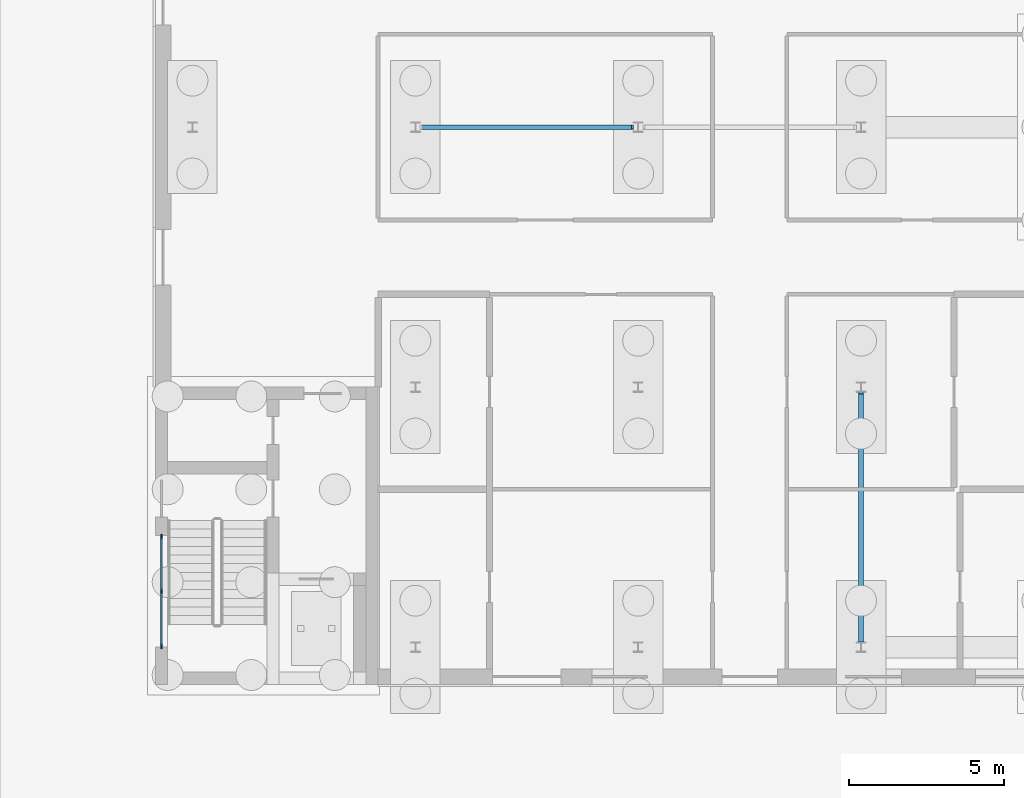
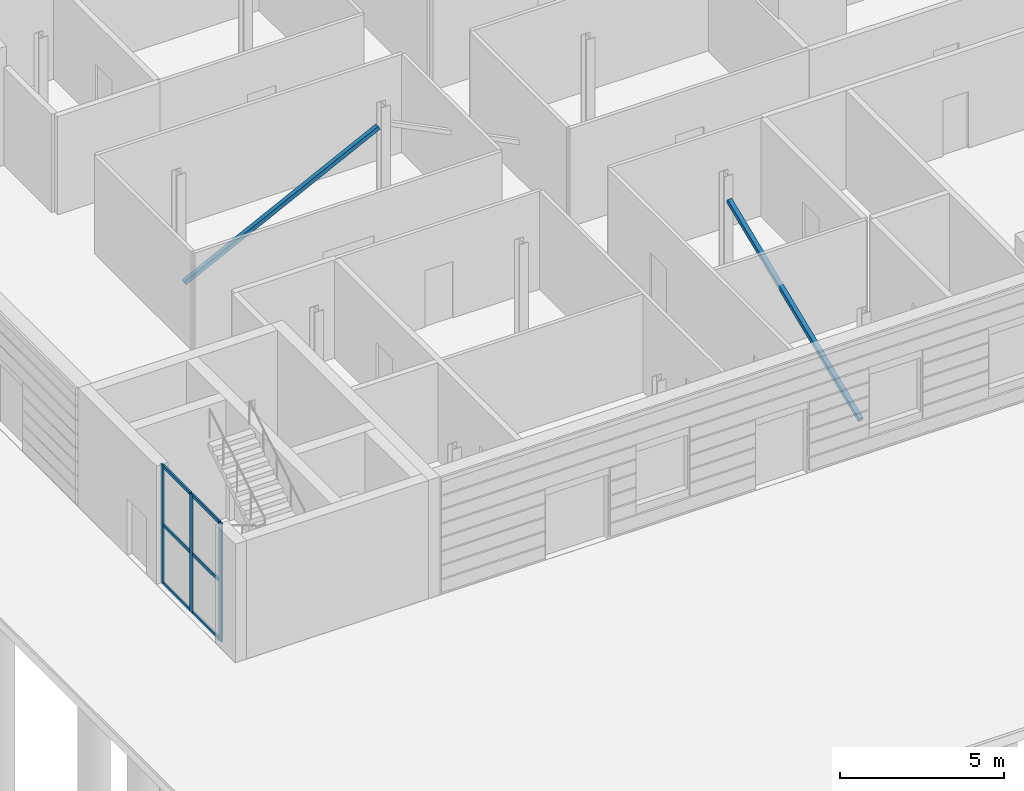
# One storey, part 24 of 139: 11 members, 1 element without a shape of its own.
"""IFC4 building model written with IfcOpenShell, lengths in metres."""

from ifc_helpers import new_model, si_unit, direction, frame, origin, origin_2d, place, context, subcontext, project, spatial, rectangle, hollow_rectangle, extrude, material, material_profile, profile_set, type_object, element, aggregate, save


model = new_model("IFC4")

# Units and contexts
model_context = context("Model", 3, precision=1e-05, world=origin(), true_north=direction((0.0, 1.0)))
body_context = subcontext(model_context, "Body", "Model", "MODEL_VIEW")
ifc_project = project(units=[si_unit("LENGTHUNIT", "METRE"), si_unit("AREAUNIT", "SQUARE_METRE"), si_unit("VOLUMEUNIT", "CUBIC_METRE"), si_unit("PLANEANGLEUNIT", "RADIAN"), si_unit("MASSUNIT", "GRAM", prefix="KILO")], contexts=[model_context])

# Site, building, storey
site_placement = place(None, origin())
site = spatial("IfcSite", under=ifc_project, at=site_placement, CompositionType="ELEMENT")
building_placement = place(site_placement, origin())
building = spatial("IfcBuilding", under=site, at=building_placement, Name="Verrick Yard Athletic Hall", CompositionType="ELEMENT")
storey_placement = place(building_placement, origin())
storey = spatial("IfcBuildingStorey", under=building, at=storey_placement, Name="L00", CompositionType="ELEMENT", Elevation=0.0)

# Curtain wall, members
ifc_material_1 = material(Name="Aluminium 6063-T5", Category="aluminium")
curtain_wall_type = type_object("IfcCurtainWallType", Name="Core glazing strip", PredefinedType="NOTDEFINED", material=ifc_material_1)
curtain_wall_placement = place(storey_placement, origin())
curtain_wall = element("IfcCurtainWall", 1, at=curtain_wall_placement, inside=storey, type_object=curtain_wall_type, Name="CORE-CB1-CW-L00", PredefinedType="NOTDEFINED")
ifc_material_profile_1 = material_profile(ifc_material_1, rectangle(XDim=0.06005859375, YDim=0.159912109375, at=origin_2d()), Name="Core glazing mullion 60x160")
ifc_profile_set_1 = profile_set([ifc_material_profile_1], Name="Aluminium 6063-T5")
member_type_1 = type_object("IfcMemberType", Name="Core glazing mullion 60x160", PredefinedType="MULLION", material=ifc_profile_set_1)
member_1_placement = place(storey_placement, frame((10.199951171875, 19.22998046875, 0.0), z_axis=(0.0, 0.0, 1.0), x_axis=(-1.0, 0.0, 0.0)))
member_1 = element("IfcMember", 2, at=member_1_placement, type_object=member_type_1, Name="CW5 mullion 1", PredefinedType="MULLION", context=body_context, shape_type="SweptSolid", body=[
    extrude(rectangle(XDim=0.06005859375, YDim=0.159912109375, at=origin_2d()), origin(), (0.0, 0.0, 1.0), 4.39990234375),
])
member_2_placement = place(storey_placement, frame((10.199951171875, 21.0, 0.0), z_axis=(0.0, 0.0, 1.0), x_axis=(-1.0, 0.0, 0.0)))
member_2 = element("IfcMember", 3, at=member_2_placement, type_object=member_type_1, Name="CW5 mullion 2", PredefinedType="MULLION", context=body_context, shape_type="SweptSolid", body=[
    extrude(rectangle(XDim=0.06005859375, YDim=0.159912109375, at=origin_2d()), origin(), (0.0, 0.0, 1.0), 4.39990234375),
])
member_3_placement = place(storey_placement, frame((10.199951171875, 22.77001953125, 0.0), z_axis=(0.0, 0.0, 1.0), x_axis=(-1.0, 0.0, 0.0)))
member_3 = element("IfcMember", 4, at=member_3_placement, type_object=member_type_1, Name="CW5 mullion 3", PredefinedType="MULLION", context=body_context, shape_type="SweptSolid", body=[
    extrude(rectangle(XDim=0.06005859375, YDim=0.159912109375, at=origin_2d()), origin(), (0.0, 0.0, 1.0), 4.39990234375),
])
ifc_material_profile_2 = material_profile(ifc_material_1, rectangle(XDim=0.06005859375, YDim=0.1201171875, at=origin_2d()), Name="Core glazing transom 60x120")
ifc_profile_set_2 = profile_set([ifc_material_profile_2], Name="Aluminium 6063-T5")
member_type_2 = type_object("IfcMemberType", Name="Core glazing transom 60x120", PredefinedType="USERDEFINED", material=ifc_profile_set_2)
member_4_placement = place(storey_placement, frame((10.199951171875, 19.260009765625, 0.030029296875), z_axis=(0.0, 1.0, 0.0), x_axis=(-1.0, 0.0, 0.0)))
member_4 = element("IfcMember", 5, at=member_4_placement, type_object=member_type_2, Name="CW5 transom 1.1", ObjectType="TRANSOM", PredefinedType="USERDEFINED", context=body_context, shape_type="SweptSolid", body=[
    extrude(rectangle(XDim=0.06005859375, YDim=0.1201171875, at=origin_2d()), origin(), (0.0, 0.0, 1.0), 1.7099609375),
])
member_5_placement = place(storey_placement, frame((10.199951171875, 19.260009765625, 2.199951171875), z_axis=(0.0, 1.0, 0.0), x_axis=(-1.0, 0.0, 0.0)))
member_5 = element("IfcMember", 6, at=member_5_placement, type_object=member_type_2, Name="CW5 transom 1.2", ObjectType="TRANSOM", PredefinedType="USERDEFINED", context=body_context, shape_type="SweptSolid", body=[
    extrude(rectangle(XDim=0.06005859375, YDim=0.1201171875, at=origin_2d()), origin(), (0.0, 0.0, 1.0), 1.7099609375),
])
member_6_placement = place(storey_placement, frame((10.199951171875, 19.260009765625, 4.3701171875), z_axis=(0.0, 1.0, 0.0), x_axis=(-1.0, 0.0, 0.0)))
member_6 = element("IfcMember", 7, at=member_6_placement, type_object=member_type_2, Name="CW5 transom 1.3", ObjectType="TRANSOM", PredefinedType="USERDEFINED", context=body_context, shape_type="SweptSolid", body=[
    extrude(rectangle(XDim=0.06005859375, YDim=0.1201171875, at=origin_2d()), origin(), (0.0, 0.0, 1.0), 1.7099609375),
])
member_7_placement = place(storey_placement, frame((10.199951171875, 21.030029296875, 0.030029296875), z_axis=(0.0, 1.0, 0.0), x_axis=(-1.0, 0.0, 0.0)))
member_7 = element("IfcMember", 8, at=member_7_placement, type_object=member_type_2, Name="CW5 transom 2.1", ObjectType="TRANSOM", PredefinedType="USERDEFINED", context=body_context, shape_type="SweptSolid", body=[
    extrude(rectangle(XDim=0.06005859375, YDim=0.1201171875, at=origin_2d()), origin(), (0.0, 0.0, 1.0), 1.7099609375),
])
member_8_placement = place(storey_placement, frame((10.199951171875, 21.030029296875, 2.199951171875), z_axis=(0.0, 1.0, 0.0), x_axis=(-1.0, 0.0, 0.0)))
member_8 = element("IfcMember", 9, at=member_8_placement, type_object=member_type_2, Name="CW5 transom 2.2", ObjectType="TRANSOM", PredefinedType="USERDEFINED", context=body_context, shape_type="SweptSolid", body=[
    extrude(rectangle(XDim=0.06005859375, YDim=0.1201171875, at=origin_2d()), origin(), (0.0, 0.0, 1.0), 1.7099609375),
])
member_9_placement = place(storey_placement, frame((10.199951171875, 21.030029296875, 4.3701171875), z_axis=(0.0, 1.0, 0.0), x_axis=(-1.0, 0.0, 0.0)))
member_9 = element("IfcMember", 10, at=member_9_placement, type_object=member_type_2, Name="CW5 transom 2.3", ObjectType="TRANSOM", PredefinedType="USERDEFINED", context=body_context, shape_type="SweptSolid", body=[
    extrude(rectangle(XDim=0.06005859375, YDim=0.1201171875, at=origin_2d()), origin(), (0.0, 0.0, 1.0), 1.7099609375),
])
aggregate(curtain_wall, [member_1, member_2, member_3, member_4, member_5, member_6, member_7, member_8, member_9])

# Members
ifc_material_2 = material(Name="Structural steel HSS Class C 350W (CSA G40.20/G40.21)", Category="steel")
ifc_material_profile_3 = material_profile(ifc_material_2, hollow_rectangle(XDim=0.15234375, YDim=0.15234375, WallThickness=0.009521484375, at=origin_2d()), Name="HSS152x152x9.5")
ifc_profile_set_3 = profile_set([ifc_material_profile_3], Name="Structural steel HSS Class C 350W (CSA G40.20/G40.21)")
member_type_3 = type_object("IfcMemberType", Name="STR Wing brace HSS152x152x9.5", PredefinedType="BRACE", material=ifc_profile_set_3)
member_10_placement = place(storey_placement, frame((18.587646484375, 36.0, 0.216552734375), z_axis=(0.894555158248, 0.0, 0.446957569409), x_axis=(0.0, 1.0, 0.0)))
element("IfcMember", 11, at=member_10_placement, inside=storey, type_object=member_type_3, Name="STR-BR-W1-L00", PredefinedType="BRACE", context=body_context, shape_type="SweptSolid", body=[
    extrude(hollow_rectangle(XDim=0.15234375, YDim=0.15234375, WallThickness=0.009521484375, at=origin_2d()), origin(), (0.0, 0.0, 1.0), 7.629150390625),
])
member_11_placement = place(storey_placement, frame((32.800048828125, 19.389404296875, 0.21142578125), z_axis=(0.0, 0.925035720113, 0.379880134405), x_axis=(-1.0, 0.0, 0.0)))
element("IfcMember", 12, at=member_11_placement, inside=storey, type_object=member_type_3, Name="STR-BR-W3-L00", PredefinedType="BRACE", context=body_context, shape_type="SweptSolid", body=[
    extrude(hollow_rectangle(XDim=0.15234375, YDim=0.15234375, WallThickness=0.009521484375, at=origin_2d()), origin(), (0.0, 0.0, 1.0), 8.6708984375),
])

save(model, "model.ifc")
